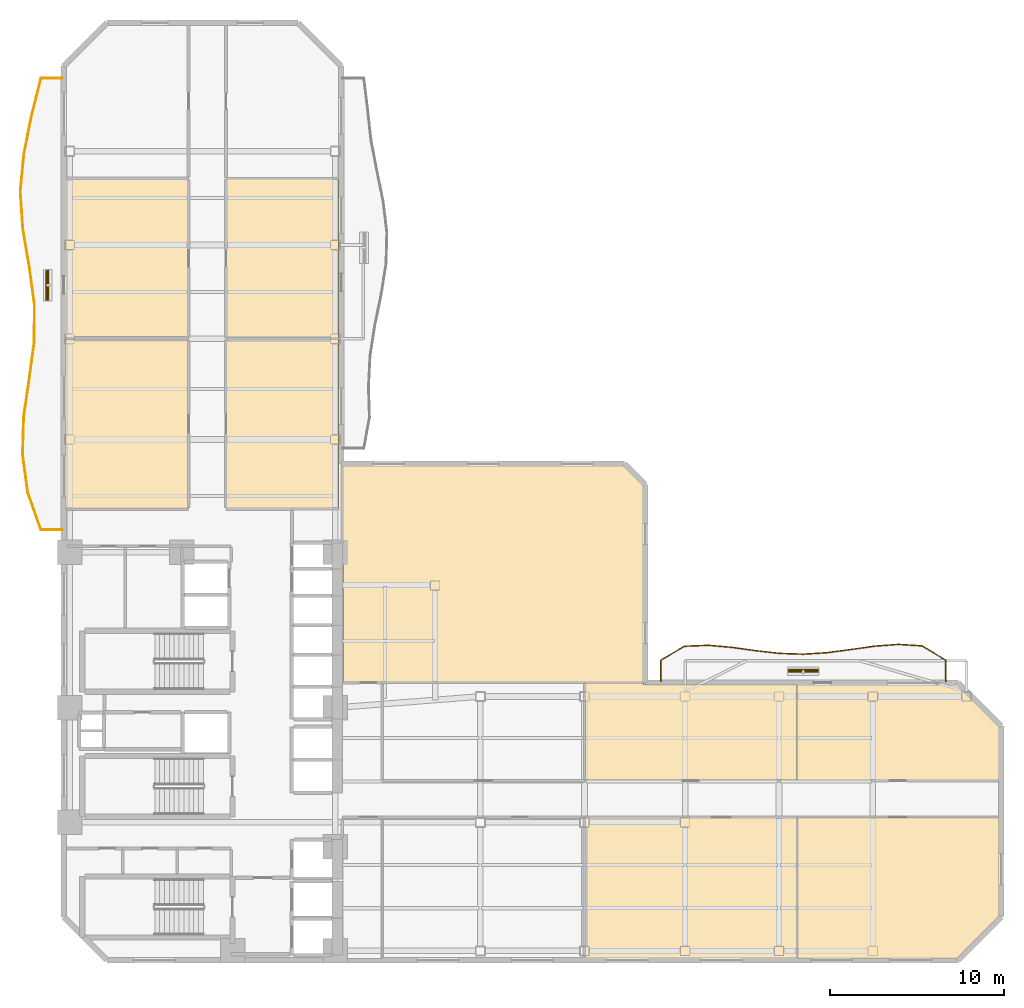
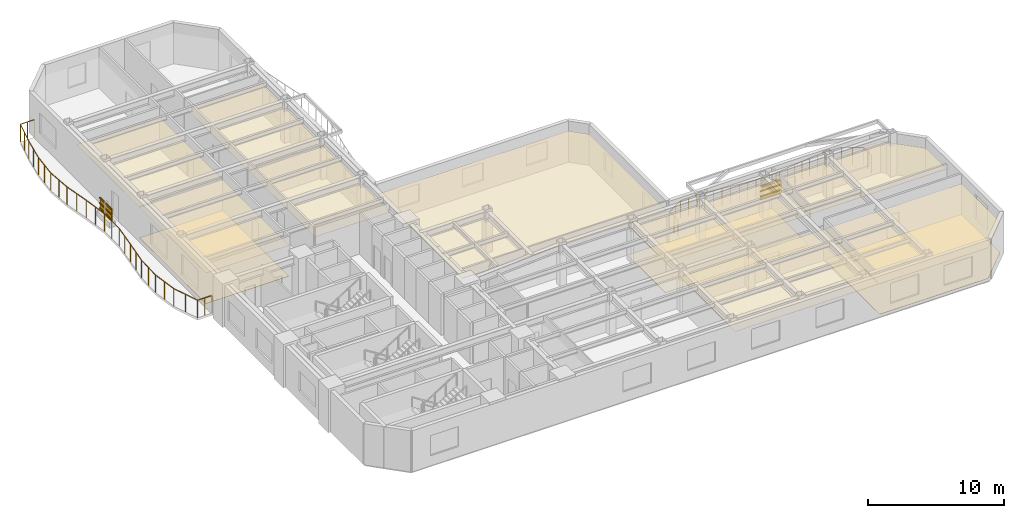
# One storey, part 9 of 10: 12 coverings, 8 shading devices, 2 railings.
"""IFC4 building model written with IfcOpenShell, lengths in metres."""

from ifc_helpers import new_model, si_unit, direction, frame, origin, origin_2d, place, context, subcontext, project, spatial, polyline, rectangle, outline, extrude, material, layer, layer_set, material_profile, profile_set, type_object, element, save


model = new_model("IFC4")

# Units and contexts
model_context = context("Model", 3, precision=1e-05, world=origin(), true_north=direction((0.0, 1.0)))
body_context = subcontext(model_context, "Body", "Model", "MODEL_VIEW")
ifc_project = project(units=[si_unit("LENGTHUNIT", "METRE"), si_unit("AREAUNIT", "SQUARE_METRE"), si_unit("VOLUMEUNIT", "CUBIC_METRE"), si_unit("PLANEANGLEUNIT", "RADIAN"), si_unit("MASSUNIT", "GRAM", prefix="KILO")], contexts=[model_context])

# Site, building, storey
site_placement = place(None, origin())
site = spatial("IfcSite", under=ifc_project, at=site_placement, CompositionType="ELEMENT")
building_placement = place(site_placement, origin())
building = spatial("IfcBuilding", under=site, at=building_placement, Name="Mawjaban Terraces University", CompositionType="ELEMENT")
storey_placement = place(building_placement, frame((0.0, 0.0, 34.89990234375)))
storey = spatial("IfcBuildingStorey", under=building, at=storey_placement, Name="L07", CompositionType="ELEMENT", Elevation=34.89990234375)

# Coverings
ifc_material_1 = material(Name="Acoustic mineral fibre ceiling tile", Category="masonry")
ifc_layer_1 = layer(ifc_material_1, 0.02001953125)
ifc_layer_set_1 = layer_set([ifc_layer_1], Name="Acoustic mineral fibre ceiling tile")
covering_type_1 = type_object("IfcCoveringType", Name="AcousticMineralCeiling_20", PredefinedType="CEILING", material=ifc_layer_set_1)
covering_1_placement = place(storey_placement, frame((0.0, 0.0, 2.75)))
element("IfcCovering", 1, at=covering_1_placement, inside=storey, type_object=covering_type_1, Name="L07 Teaching Laboratory 4 Acoustic Ceiling", PredefinedType="CEILING", context=body_context, shape_type="SweptSolid", body=[
    extrude(outline(polyline([(52.030029296875, 0.114990234375), (64.2060546875, 0.114990234375), (64.2060546875, 8.219970703125), (52.030029296875, 8.219970703125), (52.030029296875, 0.114990234375)])), origin(), (0.0, 0.0, 1.0), 0.02001953125),
])
covering_2_placement = place(storey_placement, frame((0.0, 0.0, 2.75)))
element("IfcCovering", 2, at=covering_2_placement, inside=storey, type_object=covering_type_1, Name="L07 Seminar Room 5 Acoustic Ceiling", PredefinedType="CEILING", context=body_context, shape_type="SweptSolid", body=[
    extrude(outline(polyline([(64.2060546875, 15.885009765625), (55.385009765625, 15.885009765625), (55.385009765625, 15.969970703125), (52.030029296875, 15.969970703125), (52.030029296875, 10.3798828125), (64.2060546875, 10.3798828125), (64.2060546875, 15.885009765625)])), origin(), (0.0, 0.0, 1.0), 0.02001953125),
])
covering_3_placement = place(storey_placement, frame((0.0, 0.0, 2.75)))
element("IfcCovering", 3, at=covering_3_placement, inside=storey, type_object=covering_type_1, Name="L07 Classroom 6 Acoustic Ceiling", PredefinedType="CEILING", context=body_context, shape_type="SweptSolid", body=[
    extrude(outline(polyline([(64.26611328125, 0.114990234375), (73.452880859375, 0.114990234375), (75.885009765625, 2.547119140625), (75.885009765625, 8.219970703125), (64.26611328125, 8.219970703125), (64.26611328125, 0.114990234375)])), origin(), (0.0, 0.0, 1.0), 0.02001953125),
])
covering_4_placement = place(storey_placement, frame((0.0, 0.0, 2.75)))
element("IfcCovering", 4, at=covering_4_placement, inside=storey, type_object=covering_type_1, Name="L07 Faculty Office 7 Acoustic Ceiling", PredefinedType="CEILING", context=body_context, shape_type="SweptSolid", body=[
    extrude(outline(polyline([(75.885009765625, 10.3798828125), (75.885009765625, 13.452880859375), (73.452880859375, 15.885009765625), (64.26611328125, 15.885009765625), (64.26611328125, 10.3798828125), (75.885009765625, 10.3798828125)])), origin(), (0.0, 0.0, 1.0), 0.02001953125),
])
covering_5_placement = place(storey_placement, frame((0.0, 0.0, 2.75)))
element("IfcCovering", 5, at=covering_5_placement, inside=storey, type_object=covering_type_1, Name="L07 Classroom 8 Acoustic Ceiling", PredefinedType="CEILING", context=body_context, shape_type="SweptSolid", body=[
    extrude(outline(polyline([(22.114990234375, 35.77001953125), (22.114990234375, 26.030029296875), (29.169921875, 26.030029296875), (29.169921875, 35.77001953125), (22.114990234375, 35.77001953125)])), origin(), (0.0, 0.0, 1.0), 0.02001953125),
])
covering_6_placement = place(storey_placement, frame((0.0, 0.0, 2.75)))
element("IfcCovering", 6, at=covering_6_placement, inside=storey, type_object=covering_type_1, Name="L07 Computational Laboratory 9 Acoustic Ceiling", PredefinedType="CEILING", context=body_context, shape_type="SweptSolid", body=[
    extrude(outline(polyline([(37.820068359375, 26.030029296875), (37.820068359375, 35.77001953125), (31.3798828125, 35.77001953125), (31.3798828125, 26.030029296875), (37.820068359375, 26.030029296875)])), origin(), (0.0, 0.0, 1.0), 0.02001953125),
])
covering_7_placement = place(storey_placement, frame((0.0, 0.0, 2.75)))
element("IfcCovering", 7, at=covering_7_placement, inside=storey, type_object=covering_type_1, Name="L07 Design Studio 10 Acoustic Ceiling", PredefinedType="CEILING", context=body_context, shape_type="SweptSolid", body=[
    extrude(outline(polyline([(22.114990234375, 45.010009765625), (22.114990234375, 35.830078125), (29.169921875, 35.830078125), (29.169921875, 45.010009765625), (22.114990234375, 45.010009765625)])), origin(), (0.0, 0.0, 1.0), 0.02001953125),
])
covering_8_placement = place(storey_placement, frame((0.0, 0.0, 2.75)))
element("IfcCovering", 8, at=covering_8_placement, inside=storey, type_object=covering_type_1, Name="L07 Faculty Office 11 Acoustic Ceiling", PredefinedType="CEILING", context=body_context, shape_type="SweptSolid", body=[
    extrude(outline(polyline([(37.820068359375, 35.830078125), (37.820068359375, 45.010009765625), (31.3798828125, 45.010009765625), (31.3798828125, 35.830078125), (37.820068359375, 35.830078125)])), origin(), (0.0, 0.0, 1.0), 0.02001953125),
])
covering_9_placement = place(storey_placement, frame((0.0, 0.0, 2.75)))
element("IfcCovering", 9, at=covering_9_placement, inside=storey, type_object=covering_type_1, Name="L07 Terrace Collaborative Study Room Acoustic Ceiling", PredefinedType="CEILING", context=body_context, shape_type="SweptSolid", body=[
    extrude(outline(polyline([(55.385009765625, 16.030029296875), (55.385009765625, 27.35302734375), (54.2529296875, 28.485107421875), (38.080078125, 28.485107421875), (38.080078125, 16.030029296875), (55.385009765625, 16.030029296875)])), origin(), (0.0, 0.0, 1.0), 0.02001953125),
])

# Railings
ifc_material_2 = material(Name="Galvanised powder-coated steel S355", Category="steel")
railing_type = type_object("IfcRailingType", Name="BalconyBalustrade_1600", PredefinedType="BALUSTRADE", material=ifc_material_2)
railing_1_placement = place(storey_placement, frame((21.919921875, 24.800048828125, 0.0)))
element("IfcRailing", 10, at=railing_1_placement, inside=storey, type_object=railing_type, Name="L07 Balcony Guardrail west", PredefinedType="BALUSTRADE", context=body_context, shape_type="SweptSolid", body=[
    extrude(rectangle(XDim=0.048095703125, YDim=0.048095703125, at=origin_2d()), frame((0.0, 0.0, 1.576171875), z_axis=(-1.0, 0.0, 0.0), x_axis=(0.0, -1.0, 0.0)), (0.0, 0.0, 1.0), 1.219970703125),
    extrude(rectangle(XDim=0.048095703125, YDim=0.048095703125, at=origin_2d()), frame((-1.219970703125, 0.0, 1.576171875), z_axis=(-0.332091827978, 0.943247060844, 0.0), x_axis=(-0.943247060844, -0.332091827978, 0.0)), (0.0, 0.0, 1.0), 2.29736328125),
    extrude(rectangle(XDim=0.048095703125, YDim=0.048095703125, at=origin_2d()), frame((-1.98291015625, 2.1669921875, 1.576171875), z_axis=(-0.134036483036, 0.99097639791, 0.0), x_axis=(-0.99097639791, -0.134036483036, 0.0)), (0.0, 0.0, 1.0), 2.185791015625),
    extrude(rectangle(XDim=0.048095703125, YDim=0.048095703125, at=origin_2d()), frame((-2.27587890625, 4.3330078125, 1.576171875), z_axis=(0.027704548694, 0.999616155322, 0.0), x_axis=(-0.999616155322, 0.027704548694, 0.0)), (0.0, 0.0, 1.0), 2.167724609375),
    extrude(rectangle(XDim=0.048095703125, YDim=0.048095703125, at=origin_2d()), frame((-2.2158203125, 6.5, 1.576171875), z_axis=(0.145134557046, 0.989411926526, 0.0), x_axis=(-0.989411926526, 0.145134557046, 0.0)), (0.0, 0.0, 1.0), 2.190185546875),
    extrude(rectangle(XDim=0.048095703125, YDim=0.048095703125, at=origin_2d()), frame((-1.89794921875, 8.6669921875, 1.576171875), z_axis=(0.134036483036, 0.99097639791, 0.0), x_axis=(-0.99097639791, 0.134036483036, 0.0)), (0.0, 0.0, 1.0), 2.185791015625),
    extrude(rectangle(XDim=0.048095703125, YDim=0.048095703125, at=origin_2d()), frame((-1.60498046875, 10.8330078125, 1.576171875), z_axis=(0.004168508172, 0.999991311732, 0.0), x_axis=(-0.999991311732, 0.004168508172, 0.0)), (0.0, 0.0, 1.0), 2.1669921875),
    extrude(rectangle(XDim=0.048095703125, YDim=0.048095703125, at=origin_2d()), frame((-1.595947265625, 13.0, 1.576171875), z_axis=(-0.135730828376, 0.990745750548, 0.0), x_axis=(-0.990745750548, -0.135730828376, 0.0)), (0.0, 0.0, 1.0), 2.187255859375),
    extrude(rectangle(XDim=0.048095703125, YDim=0.048095703125, at=origin_2d()), frame((-1.892822265625, 15.1669921875, 1.576171875), z_axis=(-0.16843338227, 0.985713039245, 0.0), x_axis=(-0.985713039245, -0.16843338227, 0.0)), (0.0, 0.0, 1.0), 2.197509765625),
    extrude(rectangle(XDim=0.048095703125, YDim=0.048095703125, at=origin_2d()), frame((-2.262939453125, 17.3330078125, 1.576171875), z_axis=(-0.066325018288, 0.997798071731, 0.0), x_axis=(-0.997798071731, -0.066325018288, 0.0)), (0.0, 0.0, 1.0), 2.171875),
    extrude(rectangle(XDim=0.048095703125, YDim=0.048095703125, at=origin_2d()), frame((-2.406982421875, 19.5, 1.576171875), z_axis=(0.09643887579, 0.995338908732, 0.0), x_axis=(-0.995338908732, 0.09643887579, 0.0)), (0.0, 0.0, 1.0), 2.17724609375),
    extrude(rectangle(XDim=0.048095703125, YDim=0.048095703125, at=origin_2d()), frame((-2.197021484375, 21.6669921875, 1.576171875), z_axis=(0.195223187097, 0.98075884254, 0.0), x_axis=(-0.98075884254, 0.195223187097, 0.0)), (0.0, 0.0, 1.0), 2.20849609375),
    extrude(rectangle(XDim=0.048095703125, YDim=0.048095703125, at=origin_2d()), frame((-1.765869140625, 23.8330078125, 1.576171875), z_axis=(0.24428323301, 0.969703924953, 0.0), x_axis=(-0.969703924953, 0.24428323301, 0.0)), (0.0, 0.0, 1.0), 2.234619140625),
    extrude(rectangle(XDim=0.048095703125, YDim=0.048095703125, at=origin_2d()), frame((-1.219970703125, 26.0, 1.576171875), z_axis=(1.0, 0.0, 0.0), x_axis=(0.0, 1.0, 0.0)), (0.0, 0.0, 1.0), 1.219970703125),
    extrude(rectangle(XDim=0.0419921875, YDim=0.0419921875, at=origin_2d()), origin(), (0.0, 0.0, 1.0), 1.552001953125),
    extrude(rectangle(XDim=0.0419921875, YDim=0.0419921875, at=origin_2d()), frame((-0.60986328125, 0.0, 0.0)), (0.0, 0.0, 1.0), 1.552001953125),
    extrude(rectangle(XDim=0.0419921875, YDim=0.0419921875, at=origin_2d()), frame((-1.219970703125, 0.0, 0.0)), (0.0, 0.0, 1.0), 1.552001953125),
    extrude(rectangle(XDim=0.0419921875, YDim=0.0419921875, at=origin_2d()), frame((-1.6015625, 1.08349609375, 0.0)), (0.0, 0.0, 1.0), 1.552001953125),
    extrude(rectangle(XDim=0.0419921875, YDim=0.0419921875, at=origin_2d()), frame((-1.98291015625, 2.1669921875, 0.0)), (0.0, 0.0, 1.0), 1.552001953125),
    extrude(rectangle(XDim=0.0419921875, YDim=0.0419921875, at=origin_2d()), frame((-2.12939453125, 3.25, 0.0)), (0.0, 0.0, 1.0), 1.552001953125),
    extrude(rectangle(XDim=0.0419921875, YDim=0.0419921875, at=origin_2d()), frame((-2.27587890625, 4.3330078125, 0.0)), (0.0, 0.0, 1.0), 1.552001953125),
    extrude(rectangle(XDim=0.0419921875, YDim=0.0419921875, at=origin_2d()), frame((-2.245849609375, 5.41650390625, 0.0)), (0.0, 0.0, 1.0), 1.552001953125),
    extrude(rectangle(XDim=0.0419921875, YDim=0.0419921875, at=origin_2d()), frame((-2.2158203125, 6.5, 0.0)), (0.0, 0.0, 1.0), 1.552001953125),
    extrude(rectangle(XDim=0.0419921875, YDim=0.0419921875, at=origin_2d()), frame((-2.056884765625, 7.58349609375, 0.0)), (0.0, 0.0, 1.0), 1.552001953125),
    extrude(rectangle(XDim=0.0419921875, YDim=0.0419921875, at=origin_2d()), frame((-1.89794921875, 8.6669921875, 0.0)), (0.0, 0.0, 1.0), 1.552001953125),
    extrude(rectangle(XDim=0.0419921875, YDim=0.0419921875, at=origin_2d()), frame((-1.75146484375, 9.75, 0.0)), (0.0, 0.0, 1.0), 1.552001953125),
    extrude(rectangle(XDim=0.0419921875, YDim=0.0419921875, at=origin_2d()), frame((-1.60498046875, 10.8330078125, 0.0)), (0.0, 0.0, 1.0), 1.552001953125),
    extrude(rectangle(XDim=0.0419921875, YDim=0.0419921875, at=origin_2d()), frame((-1.6005859375, 11.91650390625, 0.0)), (0.0, 0.0, 1.0), 1.552001953125),
    extrude(rectangle(XDim=0.0419921875, YDim=0.0419921875, at=origin_2d()), frame((-1.595947265625, 13.0, 0.0)), (0.0, 0.0, 1.0), 1.552001953125),
    extrude(rectangle(XDim=0.0419921875, YDim=0.0419921875, at=origin_2d()), frame((-1.744384765625, 14.08349609375, 0.0)), (0.0, 0.0, 1.0), 1.552001953125),
    extrude(rectangle(XDim=0.0419921875, YDim=0.0419921875, at=origin_2d()), frame((-1.892822265625, 15.1669921875, 0.0)), (0.0, 0.0, 1.0), 1.552001953125),
    extrude(rectangle(XDim=0.0419921875, YDim=0.0419921875, at=origin_2d()), frame((-2.077880859375, 16.25, 0.0)), (0.0, 0.0, 1.0), 1.552001953125),
    extrude(rectangle(XDim=0.0419921875, YDim=0.0419921875, at=origin_2d()), frame((-2.262939453125, 17.3330078125, 0.0)), (0.0, 0.0, 1.0), 1.552001953125),
    extrude(rectangle(XDim=0.0419921875, YDim=0.0419921875, at=origin_2d()), frame((-2.3349609375, 18.41650390625, 0.0)), (0.0, 0.0, 1.0), 1.552001953125),
    extrude(rectangle(XDim=0.0419921875, YDim=0.0419921875, at=origin_2d()), frame((-2.406982421875, 19.5, 0.0)), (0.0, 0.0, 1.0), 1.552001953125),
    extrude(rectangle(XDim=0.0419921875, YDim=0.0419921875, at=origin_2d()), frame((-2.302001953125, 20.58349609375, 0.0)), (0.0, 0.0, 1.0), 1.552001953125),
    extrude(rectangle(XDim=0.0419921875, YDim=0.0419921875, at=origin_2d()), frame((-2.197021484375, 21.6669921875, 0.0)), (0.0, 0.0, 1.0), 1.552001953125),
    extrude(rectangle(XDim=0.0419921875, YDim=0.0419921875, at=origin_2d()), frame((-1.9814453125, 22.75, 0.0)), (0.0, 0.0, 1.0), 1.552001953125),
    extrude(rectangle(XDim=0.0419921875, YDim=0.0419921875, at=origin_2d()), frame((-1.765869140625, 23.8330078125, 0.0)), (0.0, 0.0, 1.0), 1.552001953125),
    extrude(rectangle(XDim=0.0419921875, YDim=0.0419921875, at=origin_2d()), frame((-1.492919921875, 24.91650390625, 0.0)), (0.0, 0.0, 1.0), 1.552001953125),
    extrude(rectangle(XDim=0.0419921875, YDim=0.0419921875, at=origin_2d()), frame((-1.219970703125, 26.0, 0.0)), (0.0, 0.0, 1.0), 1.552001953125),
    extrude(rectangle(XDim=0.0419921875, YDim=0.0419921875, at=origin_2d()), frame((-0.60986328125, 26.0, 0.0)), (0.0, 0.0, 1.0), 1.552001953125),
    extrude(rectangle(XDim=0.0419921875, YDim=0.0419921875, at=origin_2d()), frame((0.0, 26.0, 0.0)), (0.0, 0.0, 1.0), 1.552001953125),
])
railing_2_placement = place(storey_placement, frame((56.39990234375, 16.080078125, 0.0)))
element("IfcRailing", 11, at=railing_2_placement, inside=storey, type_object=railing_type, Name="L07 Balcony Guardrail inner_north", PredefinedType="BALUSTRADE", context=body_context, shape_type="SweptSolid", body=[
    extrude(rectangle(XDim=0.048095703125, YDim=0.048095703125, at=origin_2d()), frame((0.0, 0.0, 1.576171875), z_axis=(0.0, 1.0, 0.0), x_axis=(-1.0, 0.0, 0.0)), (0.0, 0.0, 1.0), 1.219970703125),
    extrude(rectangle(XDim=0.048095703125, YDim=0.048095703125, at=origin_2d()), frame((0.0, 1.219970703125, 1.576171875), z_axis=(0.86395790499, 0.503564036052, 0.0), x_axis=(-0.503564036052, 0.86395790499, 0.0)), (0.0, 0.0, 1.0), 1.58251953125),
    extrude(rectangle(XDim=0.048095703125, YDim=0.048095703125, at=origin_2d()), frame((1.3671875, 2.016845703125, 1.576171875), z_axis=(0.999185191318, 0.040360295485, 0.0), x_axis=(-0.040360295485, 0.999185191318, 0.0)), (0.0, 0.0, 1.0), 1.3671875),
    extrude(rectangle(XDim=0.048095703125, YDim=0.048095703125, at=origin_2d()), frame((2.733154296875, 2.072021484375, 1.576171875), z_axis=(0.996036298235, -0.08894769586, 0.0), x_axis=(0.08894769586, 0.996036298235, 0.0)), (0.0, 0.0, 1.0), 1.372314453125),
    extrude(rectangle(XDim=0.048095703125, YDim=0.048095703125, at=origin_2d()), frame((4.10009765625, 1.949951171875, 1.576171875), z_axis=(0.990483566624, -0.137631043907, 0.0), x_axis=(0.137631043907, 0.990483566624, 0.0)), (0.0, 0.0, 1.0), 1.380126953125),
    extrude(rectangle(XDim=0.048095703125, YDim=0.048095703125, at=origin_2d()), frame((5.467041015625, 1.760009765625, 1.576171875), z_axis=(0.993621093247, -0.112770222379, 0.0), x_axis=(0.112770222379, 0.993621093247, 0.0)), (0.0, 0.0, 1.0), 1.374755859375),
    extrude(rectangle(XDim=0.048095703125, YDim=0.048095703125, at=origin_2d()), frame((6.8330078125, 1.60498046875, 1.576171875), z_axis=(0.999430954837, -0.033730794726, 0.0), x_axis=(0.033730794726, 0.999430954837, 0.0)), (0.0, 0.0, 1.0), 1.367919921875),
    extrude(rectangle(XDim=0.048095703125, YDim=0.048095703125, at=origin_2d()), frame((8.2001953125, 1.558837890625, 1.576171875), z_axis=(0.998018445058, 0.062922041633, 0.0), x_axis=(-0.062922041633, 0.998018445058, 0.0)), (0.0, 0.0, 1.0), 1.36962890625),
    extrude(rectangle(XDim=0.048095703125, YDim=0.048095703125, at=origin_2d()), frame((9.567138671875, 1.64501953125, 1.576171875), z_axis=(0.991251095089, 0.131989645369, 0.0), x_axis=(-0.131989645369, 0.991251095089, 0.0)), (0.0, 0.0, 1.0), 1.3779296875),
    extrude(rectangle(XDim=0.048095703125, YDim=0.048095703125, at=origin_2d()), frame((10.93310546875, 1.826904296875, 1.576171875), z_axis=(0.990167594089, 0.139886152335, 0.0), x_axis=(-0.139886152335, 0.990167594089, 0.0)), (0.0, 0.0, 1.0), 1.380615234375),
    extrude(rectangle(XDim=0.048095703125, YDim=0.048095703125, at=origin_2d()), frame((12.300048828125, 2.02001953125, 1.576171875), z_axis=(0.997118041803, 0.075865741348, 0.0), x_axis=(-0.075865741348, 0.997118041803, 0.0)), (0.0, 0.0, 1.0), 1.370849609375),
    extrude(rectangle(XDim=0.048095703125, YDim=0.048095703125, at=origin_2d()), frame((13.6669921875, 2.1240234375, 1.576171875), z_axis=(0.998060897334, -0.062245041667, 0.0), x_axis=(0.062245041667, 0.998060897334, 0.0)), (0.0, 0.0, 1.0), 1.368896484375),
    extrude(rectangle(XDim=0.048095703125, YDim=0.048095703125, at=origin_2d()), frame((15.033203125, 2.038818359375, 1.576171875), z_axis=(0.857857725068, -0.513887267347, 0.0), x_axis=(0.513887267347, 0.857857725068, 0.0)), (0.0, 0.0, 1.0), 1.593505859375),
    extrude(rectangle(XDim=0.048095703125, YDim=0.048095703125, at=origin_2d()), frame((16.400146484375, 1.219970703125, 1.576171875), z_axis=(0.0, -1.0, 0.0), x_axis=(1.0, 0.0, 0.0)), (0.0, 0.0, 1.0), 1.219970703125),
    extrude(rectangle(XDim=0.0419921875, YDim=0.0419921875, at=origin_2d()), origin(), (0.0, 0.0, 1.0), 1.552001953125),
    extrude(rectangle(XDim=0.0419921875, YDim=0.0419921875, at=origin_2d()), frame((0.0, 0.60986328125, 0.0)), (0.0, 0.0, 1.0), 1.552001953125),
    extrude(rectangle(XDim=0.0419921875, YDim=0.0419921875, at=origin_2d()), frame((0.0, 1.219970703125, 0.0)), (0.0, 0.0, 1.0), 1.552001953125),
    extrude(rectangle(XDim=0.0419921875, YDim=0.0419921875, at=origin_2d()), frame((0.68359375, 1.618408203125, 0.0)), (0.0, 0.0, 1.0), 1.552001953125),
    extrude(rectangle(XDim=0.0419921875, YDim=0.0419921875, at=origin_2d()), frame((1.3671875, 2.016845703125, 0.0)), (0.0, 0.0, 1.0), 1.552001953125),
    extrude(rectangle(XDim=0.0419921875, YDim=0.0419921875, at=origin_2d()), frame((2.05029296875, 2.04443359375, 0.0)), (0.0, 0.0, 1.0), 1.552001953125),
    extrude(rectangle(XDim=0.0419921875, YDim=0.0419921875, at=origin_2d()), frame((2.733154296875, 2.072021484375, 0.0)), (0.0, 0.0, 1.0), 1.552001953125),
    extrude(rectangle(XDim=0.0419921875, YDim=0.0419921875, at=origin_2d()), frame((3.41650390625, 2.010986328125, 0.0)), (0.0, 0.0, 1.0), 1.552001953125),
    extrude(rectangle(XDim=0.0419921875, YDim=0.0419921875, at=origin_2d()), frame((4.10009765625, 1.949951171875, 0.0)), (0.0, 0.0, 1.0), 1.552001953125),
    extrude(rectangle(XDim=0.0419921875, YDim=0.0419921875, at=origin_2d()), frame((4.78369140625, 1.85498046875, 0.0)), (0.0, 0.0, 1.0), 1.552001953125),
    extrude(rectangle(XDim=0.0419921875, YDim=0.0419921875, at=origin_2d()), frame((5.467041015625, 1.760009765625, 0.0)), (0.0, 0.0, 1.0), 1.552001953125),
    extrude(rectangle(XDim=0.0419921875, YDim=0.0419921875, at=origin_2d()), frame((6.14990234375, 1.6826171875, 0.0)), (0.0, 0.0, 1.0), 1.552001953125),
    extrude(rectangle(XDim=0.0419921875, YDim=0.0419921875, at=origin_2d()), frame((6.8330078125, 1.60498046875, 0.0)), (0.0, 0.0, 1.0), 1.552001953125),
    extrude(rectangle(XDim=0.0419921875, YDim=0.0419921875, at=origin_2d()), frame((7.5166015625, 1.58203125, 0.0)), (0.0, 0.0, 1.0), 1.552001953125),
    extrude(rectangle(XDim=0.0419921875, YDim=0.0419921875, at=origin_2d()), frame((8.2001953125, 1.558837890625, 0.0)), (0.0, 0.0, 1.0), 1.552001953125),
    extrude(rectangle(XDim=0.0419921875, YDim=0.0419921875, at=origin_2d()), frame((8.8837890625, 1.60205078125, 0.0)), (0.0, 0.0, 1.0), 1.552001953125),
    extrude(rectangle(XDim=0.0419921875, YDim=0.0419921875, at=origin_2d()), frame((9.567138671875, 1.64501953125, 0.0)), (0.0, 0.0, 1.0), 1.552001953125),
    extrude(rectangle(XDim=0.0419921875, YDim=0.0419921875, at=origin_2d()), frame((10.25, 1.73583984375, 0.0)), (0.0, 0.0, 1.0), 1.552001953125),
    extrude(rectangle(XDim=0.0419921875, YDim=0.0419921875, at=origin_2d()), frame((10.93310546875, 1.826904296875, 0.0)), (0.0, 0.0, 1.0), 1.552001953125),
    extrude(rectangle(XDim=0.0419921875, YDim=0.0419921875, at=origin_2d()), frame((11.61669921875, 1.92333984375, 0.0)), (0.0, 0.0, 1.0), 1.552001953125),
    extrude(rectangle(XDim=0.0419921875, YDim=0.0419921875, at=origin_2d()), frame((12.300048828125, 2.02001953125, 0.0)), (0.0, 0.0, 1.0), 1.552001953125),
    extrude(rectangle(XDim=0.0419921875, YDim=0.0419921875, at=origin_2d()), frame((12.9833984375, 2.072021484375, 0.0)), (0.0, 0.0, 1.0), 1.552001953125),
    extrude(rectangle(XDim=0.0419921875, YDim=0.0419921875, at=origin_2d()), frame((13.6669921875, 2.1240234375, 0.0)), (0.0, 0.0, 1.0), 1.552001953125),
    extrude(rectangle(XDim=0.0419921875, YDim=0.0419921875, at=origin_2d()), frame((14.35009765625, 2.08154296875, 0.0)), (0.0, 0.0, 1.0), 1.552001953125),
    extrude(rectangle(XDim=0.0419921875, YDim=0.0419921875, at=origin_2d()), frame((15.033203125, 2.038818359375, 0.0)), (0.0, 0.0, 1.0), 1.552001953125),
    extrude(rectangle(XDim=0.0419921875, YDim=0.0419921875, at=origin_2d()), frame((15.716796875, 1.62939453125, 0.0)), (0.0, 0.0, 1.0), 1.552001953125),
    extrude(rectangle(XDim=0.0419921875, YDim=0.0419921875, at=origin_2d()), frame((16.400146484375, 1.219970703125, 0.0)), (0.0, 0.0, 1.0), 1.552001953125),
    extrude(rectangle(XDim=0.0419921875, YDim=0.0419921875, at=origin_2d()), frame((16.400146484375, 0.60986328125, 0.0)), (0.0, 0.0, 1.0), 1.552001953125),
    extrude(rectangle(XDim=0.0419921875, YDim=0.0419921875, at=origin_2d()), frame((16.400146484375, 0.0, 0.0)), (0.0, 0.0, 1.0), 1.552001953125),
])

# Shading devices
ifc_material_3 = material(Name="Glazed architectural terracotta ceramic", Category="masonry")
ifc_material_profile = material_profile(ifc_material_3, rectangle(XDim=0.06494140625, YDim=0.110107421875, at=origin_2d()), Name="TBAG110X65")
ifc_profile_set = profile_set([ifc_material_profile], Name="Glazed architectural terracotta ceramic")
shading_device_type_1 = type_object("IfcShadingDeviceType", Name="TerracottaBaguette_110x65", PredefinedType="USERDEFINED", material=ifc_profile_set)
for number, where, z_axis, x_axis, name in (
    (12, (21.008056640625, 38.032958984375, 0.68017578125), (0.0, 1.0, 0.0), (-1.0, 0.0, 0.0), "L07 Horizontal Terracotta Baguette west.1"),
    (13, (21.008056640625, 38.032958984375, 1.150146484375), (0.0, 1.0, 0.0), (-1.0, 0.0, 0.0), "L07 Horizontal Terracotta Baguette west.2"),
    (14, (21.008056640625, 38.032958984375, 1.6201171875), (0.0, 1.0, 0.0), (-1.0, 0.0, 0.0), "L07 Horizontal Terracotta Baguette west.3"),
    (15, (63.75, 16.72998046875, 0.68017578125), (1.0, 0.0, 0.0), (0.0, 1.0, 0.0), "L07 Horizontal Terracotta Baguette inner_north.1"),
    (16, (63.75, 16.72998046875, 1.150146484375), (1.0, 0.0, 0.0), (0.0, 1.0, 0.0), "L07 Horizontal Terracotta Baguette inner_north.2"),
    (17, (63.75, 16.72998046875, 1.6201171875), (1.0, 0.0, 0.0), (0.0, 1.0, 0.0), "L07 Horizontal Terracotta Baguette inner_north.3"),
):
    element("IfcShadingDevice", number, at=place(storey_placement, frame(where, z_axis=z_axis, x_axis=x_axis)), inside=storey, type_object=shading_device_type_1, Name=name, ObjectType="BAGUETTE", PredefinedType="USERDEFINED", context=body_context, shape_type="SweptSolid", body=[
        extrude(rectangle(XDim=0.06494140625, YDim=0.110107421875, at=origin_2d()), origin(), (0.0, 0.0, 1.0), 1.699951171875),
    ])
ifc_layer_2 = layer(ifc_material_3, 0.080078125)
ifc_layer_set_2 = layer_set([ifc_layer_2], Name="Glazed architectural terracotta ceramic")
shading_device_type_2 = type_object("IfcShadingDeviceType", Name="TerracottaScreen_Perforated", PredefinedType="USERDEFINED", material=ifc_layer_set_2)
for number, where, z_axis, x_axis, name in (
    (18, (21.093017578125, 38.883056640625, 0.440185546875), (0.0, 0.0, 1.0), (0.0, 1.0, 0.0), "L07 Balcony Perforated Terracotta Screen west"),
    (19, (64.60009765625, 16.64501953125, 0.440185546875), (0.0, 0.0, 1.0), (1.0, 0.0, 0.0), "L07 Balcony Perforated Terracotta Screen inner_north"),
):
    element("IfcShadingDevice", number, at=place(storey_placement, frame(where, z_axis=z_axis, x_axis=x_axis)), inside=storey, type_object=shading_device_type_2, Name=name, ObjectType="SCREEN", PredefinedType="USERDEFINED", context=body_context, shape_type="SweptSolid", body=[
        extrude(rectangle(XDim=1.75, YDim=0.080078125, at=origin_2d()), origin(), (0.0, 0.0, 1.0), 1.14990234375),
    ])

# Coverings
ifc_material_4 = material(Name="Polished Hijazi granite terrazzo flooring", Category="masonry")
ifc_layer_3 = layer(ifc_material_4, 0.02490234375)
ifc_layer_set_3 = layer_set([ifc_layer_3], Name="Polished Hijazi granite terrazzo flooring")
covering_type_2 = type_object("IfcCoveringType", Name="TerrazzoConcourseFlooring_25", PredefinedType="FLOORING", material=ifc_layer_set_3)
covering_10_placement = place(storey_placement, origin())
element("IfcCovering", 20, at=covering_10_placement, inside=storey, type_object=covering_type_2, Name="L07 Seminar Room 5 Terrazzo Flooring", PredefinedType="FLOORING", context=body_context, shape_type="SweptSolid", body=[
    extrude(outline(polyline([(64.2060546875, 15.885009765625), (55.385009765625, 15.885009765625), (55.385009765625, 15.969970703125), (52.030029296875, 15.969970703125), (52.030029296875, 10.3798828125), (64.2060546875, 10.3798828125), (64.2060546875, 15.885009765625)])), origin(), (0.0, 0.0, 1.0), 0.025146484375),
])
covering_11_placement = place(storey_placement, origin())
element("IfcCovering", 21, at=covering_11_placement, inside=storey, type_object=covering_type_2, Name="L07 Classroom 6 Terrazzo Flooring", PredefinedType="FLOORING", context=body_context, shape_type="SweptSolid", body=[
    extrude(outline(polyline([(64.26611328125, 0.114990234375), (73.452880859375, 0.114990234375), (75.885009765625, 2.547119140625), (75.885009765625, 8.219970703125), (64.26611328125, 8.219970703125), (64.26611328125, 0.114990234375)])), origin(), (0.0, 0.0, 1.0), 0.025146484375),
])
covering_12_placement = place(storey_placement, origin())
element("IfcCovering", 22, at=covering_12_placement, inside=storey, type_object=covering_type_2, Name="L07 Classroom 8 Terrazzo Flooring", PredefinedType="FLOORING", context=body_context, shape_type="SweptSolid", body=[
    extrude(outline(polyline([(22.114990234375, 35.77001953125), (22.114990234375, 26.030029296875), (29.169921875, 26.030029296875), (29.169921875, 35.77001953125), (22.114990234375, 35.77001953125)])), origin(), (0.0, 0.0, 1.0), 0.025146484375),
])

save(model, "model.ifc")
